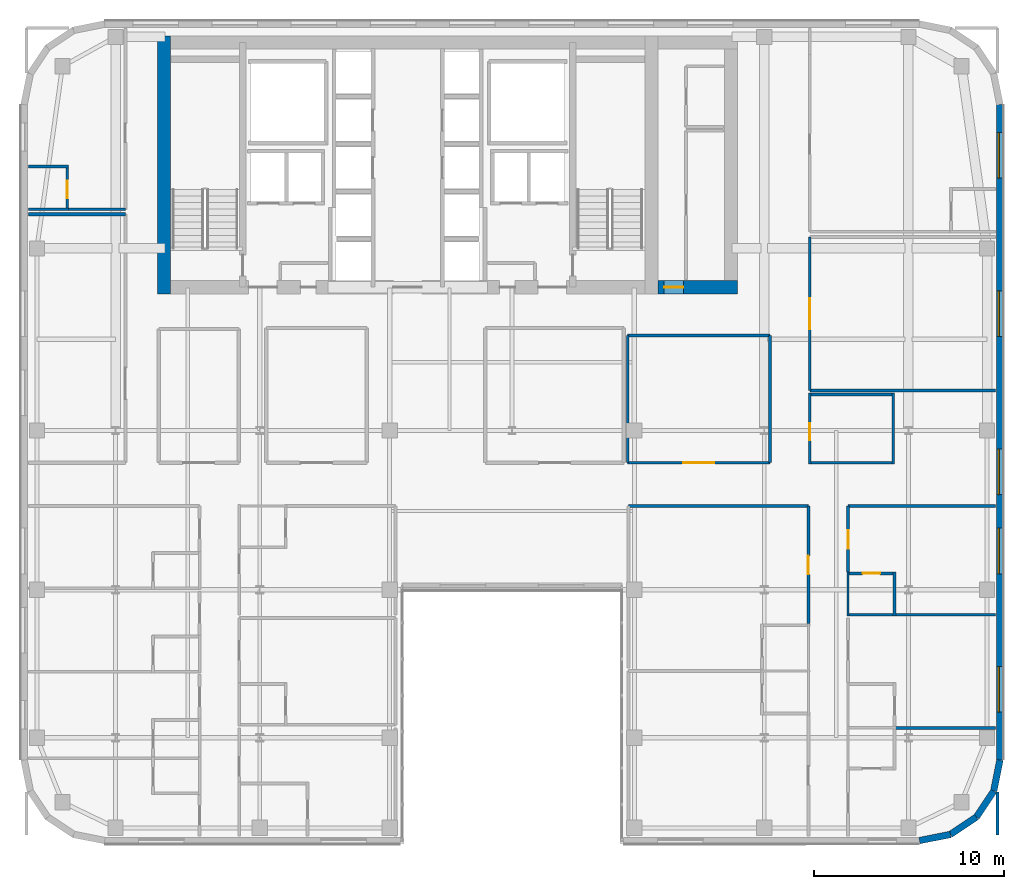
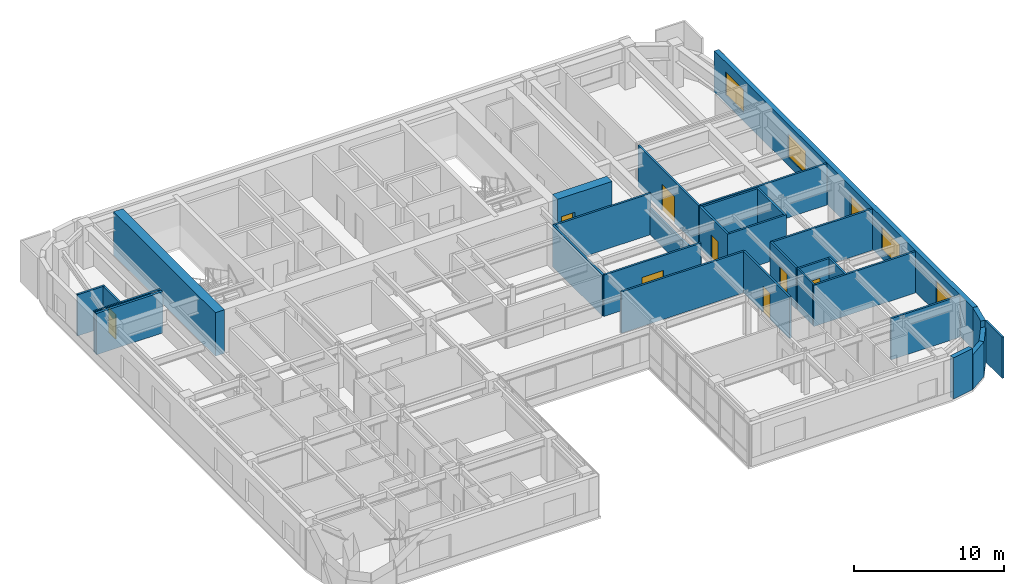
# One storey, part 12 of 20: 32 walls, 8 doors, 5 windows, 13 openings.
"""IFC4 building model written with IfcOpenShell, lengths in metres."""

from ifc_helpers import new_model, si_unit, direction, frame, frame_2d, origin, place, context, subcontext, project, spatial, rectangle, extrude, source, transform, mapped, material, layer, layer_set, type_object, type_shapes, element, fill, save


model = new_model("IFC4")

# Units and contexts
model_context = context("Model", 3, precision=1e-05, world=origin(), true_north=direction((0.0, 1.0)))
body_context = subcontext(model_context, "Body", "Model", "MODEL_VIEW")
ifc_project = project(units=[si_unit("LENGTHUNIT", "METRE"), si_unit("AREAUNIT", "SQUARE_METRE"), si_unit("VOLUMEUNIT", "CUBIC_METRE"), si_unit("PLANEANGLEUNIT", "RADIAN"), si_unit("MASSUNIT", "GRAM", prefix="KILO")], contexts=[model_context])

# Site, building, storey
site_placement = place(None, origin())
site = spatial("IfcSite", under=ifc_project, at=site_placement, CompositionType="ELEMENT")
building_placement = place(site_placement, origin())
building = spatial("IfcBuilding", under=site, at=building_placement, Name="Tolvann Quenvar Hotel", CompositionType="ELEMENT")
storey_placement = place(building_placement, frame((0.0, 0.0, 191.10009765625)))
storey = spatial("IfcBuildingStorey", under=building, at=storey_placement, Name="L50", CompositionType="ELEMENT", Elevation=191.10009765625)

# Wall
ifc_material_1 = material(Name="Concrete S65 (65 MPa)", Category="concrete")
ifc_layer_1 = layer(ifc_material_1, 0.699951171875)
ifc_layer_set_1 = layer_set([ifc_layer_1], Name="Concrete S65 (65 MPa)")
wall_type_1 = type_object("IfcWallType", Name="WALL_CORE_700", PredefinedType="SHEAR", material=ifc_layer_set_1)
wall_1_placement = place(storey_placement, frame((10.14990234375, 31.60009765625, 0.0), z_axis=(0.0, 0.0, 1.0), x_axis=(0.0, 1.0, 0.0)))
element("IfcWall", 1, at=wall_1_placement, inside=storey, type_object=wall_type_1, Name="Rear Core W Shear Wall (L50)", PredefinedType="SHEAR", context=body_context, shape_type="SweptSolid", body=[
    extrude(rectangle(XDim=13.599853515625, YDim=0.699951171875, at=frame_2d((6.7998046875, 0.0))), origin(), (0.0, 0.0, 1.0), 3.5498046875),
])

# Wall, opening, door
wall_2_placement = place(storey_placement, frame((36.199951171875, 31.949951171875, 0.0), z_axis=(0.0, 0.0, 1.0), x_axis=(1.0, 0.0, 0.0)))
wall_2 = element("IfcWall", 2, at=wall_2_placement, inside=storey, type_object=wall_type_1, Name="Core East Annex Shear Wall ANN-S (L50)", PredefinedType="SHEAR", context=body_context, shape_type="SweptSolid", body=[
    extrude(rectangle(XDim=4.199951171875, YDim=0.699951171875, at=frame_2d((2.10009765625, 0.0))), origin(), (0.0, 0.0, 1.0), 3.5498046875),
])
opening_1_placement = place(wall_2_placement, frame((1.340087890625, 0.0, 0.0), z_axis=(0.0, 0.0, 1.0), x_axis=(-1.0, 0.0, 0.0)))
opening_1 = element("IfcOpeningElement", 3, at=opening_1_placement, cuts=wall_2, Name="Opening HD-01", PredefinedType="OPENING", context=body_context, shape_type="SweptSolid", body=[
    extrude(rectangle(XDim=1.02001953125, YDim=2.030029296875, at=frame_2d((0.510009765625, 1.01513671875))), frame((0.0, 0.35986328125, 0.0), z_axis=(0.0, -1.0, 0.0), x_axis=(1.0, 0.0, 0.0)), (0.0, 0.0, 1.0), 0.719970703125),
])
ifc_material_2 = material(Name="Pressed galvanised steel fire-rated door set", Category="steel")
door_type_1 = type_object("IfcDoorType", Name="DOOR_BOH_1020", OperationType="NOTDEFINED", PredefinedType="DOOR", material=ifc_material_2)
shared_shape_1 = source(origin(), body_context, "Body", "SweptSolid", [
    extrude(rectangle(XDim=1.02001953125, YDim=2.030029296875, at=frame_2d((0.510009765625, 1.01513671875))), frame((0.0, 0.02490234375, 0.0), z_axis=(0.0, -1.0, 0.0), x_axis=(1.0, 0.0, 0.0)), (0.0, 0.0, 1.0), 0.050048828125),
])
type_shapes(door_type_1, [shared_shape_1])
door_1_placement = place(opening_1_placement, origin())
door_1 = element("IfcDoor", 4, at=door_1_placement, inside=storey, type_object=door_type_1, Name="Housekeeping Annex Fire Door (L50)", OperationType="SINGLE_SWING_RIGHT", OverallHeight=2.030029296875, OverallWidth=1.02001953125, PredefinedType="DOOR", context=body_context, shape_type="MappedRepresentation", body=[
    mapped(shared_shape_1, transform((0.0, 0.0, 0.0), x_axis=(1.0, 0.0, 0.0), y_axis=(0.0, 1.0, 0.0), z_axis=(0.0, 0.0, 1.0), scale=1.0)),
])
fill(opening_1, door_1)

# Walls
ifc_material_3 = material(Name="Kiln-fired red and buff architectural clay brickwork and terracotta masonry", Category="masonry")
ifc_layer_2 = layer(ifc_material_3, 0.35009765625)
ifc_layer_set_2 = layer_set([ifc_layer_2], Name="Kiln-fired red and buff architectural clay brickwork and terracotta masonry")
wall_type_2 = type_object("IfcWallType", Name="WALL_EXT_BRICK_350", PredefinedType="SOLIDWALL", material=ifc_layer_set_2)
wall_3_placement = place(storey_placement, frame((49.98291015625, 2.77490234375, 0.0), z_axis=(0.0, 0.0, 1.0), x_axis=(0.980788844421, 0.195072403631, 0.0)))
element("IfcWall", 5, at=wall_3_placement, inside=storey, type_object=wall_type_2, Name="Exterior Chicago Brick Wall L50-E09", PredefinedType="SOLIDWALL", context=body_context, shape_type="SweptSolid", body=[
    extrude(rectangle(XDim=1.66455078125, YDim=0.35009765625, at=frame_2d((0.832275390625, 0.0))), origin(), (0.0, 0.0, 1.0), 3.369873046875),
])
for number, where, z_axis, x_axis, name in (
    (6, (51.615478515625, 3.099609375, 0.0), (0.0, 0.0, 1.0), (0.831434158098, 0.555623290322, 0.0), "Exterior Chicago Brick Wall L50-E10"),
    (7, (52.985107421875, 4.014892578125, 0.0), (0.0, 0.0, 1.0), (0.555623290322, 0.831434158098, 0.0), "Exterior Chicago Brick Wall L50-E11"),
):
    element("IfcWall", number, at=place(storey_placement, frame(where, z_axis=z_axis, x_axis=x_axis)), inside=storey, type_object=wall_type_2, Name=name, PredefinedType="SOLIDWALL", context=body_context, shape_type="SweptSolid", body=[
        extrude(rectangle(XDim=1.647216796875, YDim=0.35009765625, at=frame_2d((0.82373046875, 0.0))), origin(), (0.0, 0.0, 1.0), 2.831787109375),
    ])
wall_4_placement = place(storey_placement, frame((53.900390625, 5.384521484375, 0.0), z_axis=(0.0, 0.0, 1.0), x_axis=(0.195072403631, 0.980788844421, 0.0)))
element("IfcWall", 8, at=wall_4_placement, inside=storey, type_object=wall_type_2, Name="Exterior Chicago Brick Wall L50-E12", PredefinedType="SOLIDWALL", context=body_context, shape_type="SweptSolid", body=[
    extrude(rectangle(XDim=1.66455078125, YDim=0.35009765625, at=frame_2d((0.832275390625, 0.0))), origin(), (0.0, 0.0, 1.0), 3.369873046875),
])

# Wall, openings, windows
wall_5_placement = place(storey_placement, frame((54.22509765625, 7.01708984375, 0.0), z_axis=(0.0, 0.0, 1.0), x_axis=(0.0, 1.0, 0.0)))
wall_5 = element("IfcWall", 9, at=wall_5_placement, inside=storey, type_object=wall_type_2, Name="Exterior Chicago Brick Wall L50-E13", PredefinedType="SOLIDWALL", context=body_context, shape_type="SweptSolid", body=[
    extrude(rectangle(XDim=34.565673828125, YDim=0.35009765625, at=frame_2d((17.28271484375, 0.0))), origin(), (0.0, 0.0, 1.0), 3.369873046875),
])
opening_2_placement = place(wall_5_placement, frame((2.534912109375, 0.0, 0.679931640625)))
opening_2 = element("IfcOpeningElement", 10, at=opening_2_placement, cuts=wall_5, Name="Opening W-01", PredefinedType="OPENING", context=body_context, shape_type="SweptSolid", body=[
    extrude(rectangle(XDim=2.39990234375, YDim=1.89990234375, at=frame_2d((1.199951171875, 0.949951171875))), frame((0.0, 0.18505859375, 0.0), z_axis=(0.0, -1.0, 0.0), x_axis=(1.0, 0.0, 0.0)), (0.0, 0.0, 1.0), 0.3701171875),
])
opening_3_placement = place(wall_5_placement, frame((9.826904296875, 0.0, 0.679931640625)))
opening_3 = element("IfcOpeningElement", 11, at=opening_3_placement, cuts=wall_5, Name="Opening W-01", PredefinedType="OPENING", context=body_context, shape_type="SweptSolid", body=[
    extrude(rectangle(XDim=2.39990234375, YDim=1.89990234375, at=frame_2d((1.199951171875, 0.949951171875))), frame((0.0, 0.18505859375, 0.0), z_axis=(0.0, -1.0, 0.0), x_axis=(1.0, 0.0, 0.0)), (0.0, 0.0, 1.0), 0.3701171875),
])
opening_4_placement = place(wall_5_placement, frame((13.9970703125, 0.0, 0.679931640625)))
opening_4 = element("IfcOpeningElement", 12, at=opening_4_placement, cuts=wall_5, Name="Opening W-01", PredefinedType="OPENING", context=body_context, shape_type="SweptSolid", body=[
    extrude(rectangle(XDim=2.39990234375, YDim=1.89990234375, at=frame_2d((1.199951171875, 0.949951171875))), frame((0.0, 0.18505859375, 0.0), z_axis=(0.0, -1.0, 0.0), x_axis=(1.0, 0.0, 0.0)), (0.0, 0.0, 1.0), 0.3701171875),
])
opening_5_placement = place(wall_5_placement, frame((22.339111328125, 0.0, 0.679931640625)))
opening_5 = element("IfcOpeningElement", 13, at=opening_5_placement, cuts=wall_5, Name="Opening W-01", PredefinedType="OPENING", context=body_context, shape_type="SweptSolid", body=[
    extrude(rectangle(XDim=2.39990234375, YDim=1.89990234375, at=frame_2d((1.199951171875, 0.949951171875))), frame((0.0, 0.18505859375, 0.0), z_axis=(0.0, -1.0, 0.0), x_axis=(1.0, 0.0, 0.0)), (0.0, 0.0, 1.0), 0.3701171875),
])
opening_6_placement = place(wall_5_placement, frame((30.679931640625, 0.0, 0.679931640625)))
opening_6 = element("IfcOpeningElement", 14, at=opening_6_placement, cuts=wall_5, Name="Opening W-01", PredefinedType="OPENING", context=body_context, shape_type="SweptSolid", body=[
    extrude(rectangle(XDim=2.39990234375, YDim=1.89990234375, at=frame_2d((1.199951171875, 0.949951171875))), frame((0.0, 0.18505859375, 0.0), z_axis=(0.0, -1.0, 0.0), x_axis=(1.0, 0.0, 0.0)), (0.0, 0.0, 1.0), 0.3701171875),
])
ifc_material_4 = material(Name="Thermally broken bronze-anodised aluminium frame with double low-E glazing", Category="aluminium")
window_type = type_object("IfcWindowType", Name="WIN_CHI_2400x2050", PartitioningType="TRIPLE_PANEL_HORIZONTAL", PredefinedType="WINDOW", material=ifc_material_4)
shared_shape_2 = source(origin(), body_context, "Body", "SweptSolid", [
    extrude(rectangle(XDim=2.39990234375, YDim=1.89990234375, at=frame_2d((1.199951171875, 0.949951171875))), frame((0.0, 0.090087890625, 0.0), z_axis=(0.0, -1.0, 0.0), x_axis=(1.0, 0.0, 0.0)), (0.0, 0.0, 1.0), 0.06005859375),
])
type_shapes(window_type, [shared_shape_2])
window_1_placement = place(opening_2_placement, origin())
window_1 = element("IfcWindow", 15, at=window_1_placement, inside=storey, type_object=window_type, Name="Chicago Window W-01 (EW-L50-E13-W01)", OverallHeight=1.89990234375, OverallWidth=2.39990234375, PartitioningType="TRIPLE_PANEL_HORIZONTAL", PredefinedType="WINDOW", context=body_context, shape_type="MappedRepresentation", body=[
    mapped(shared_shape_2, transform((0.0, 0.0, 0.0), x_axis=(1.0, 0.0, 0.0), y_axis=(0.0, 1.0, 0.0), z_axis=(0.0, 0.0, 1.0), scale=1.0)),
])
fill(opening_2, window_1)
window_2_placement = place(opening_3_placement, origin())
window_2 = element("IfcWindow", 16, at=window_2_placement, inside=storey, type_object=window_type, Name="Chicago Window W-01 (EW-L50-E13-W02)", OverallHeight=1.89990234375, OverallWidth=2.39990234375, PartitioningType="TRIPLE_PANEL_HORIZONTAL", PredefinedType="WINDOW", context=body_context, shape_type="MappedRepresentation", body=[
    mapped(shared_shape_2, transform((0.0, 0.0, 0.0), x_axis=(1.0, 0.0, 0.0), y_axis=(0.0, 1.0, 0.0), z_axis=(0.0, 0.0, 1.0), scale=1.0)),
])
fill(opening_3, window_2)
window_3_placement = place(opening_4_placement, origin())
window_3 = element("IfcWindow", 17, at=window_3_placement, inside=storey, type_object=window_type, Name="Chicago Window W-01 (EW-L50-E13-W03)", OverallHeight=1.89990234375, OverallWidth=2.39990234375, PartitioningType="TRIPLE_PANEL_HORIZONTAL", PredefinedType="WINDOW", context=body_context, shape_type="MappedRepresentation", body=[
    mapped(shared_shape_2, transform((0.0, 0.0, 0.0), x_axis=(1.0, 0.0, 0.0), y_axis=(0.0, 1.0, 0.0), z_axis=(0.0, 0.0, 1.0), scale=1.0)),
])
fill(opening_4, window_3)
window_4_placement = place(opening_5_placement, origin())
window_4 = element("IfcWindow", 18, at=window_4_placement, inside=storey, type_object=window_type, Name="Chicago Window W-01 (EW-L50-E13-W04)", OverallHeight=1.89990234375, OverallWidth=2.39990234375, PartitioningType="TRIPLE_PANEL_HORIZONTAL", PredefinedType="WINDOW", context=body_context, shape_type="MappedRepresentation", body=[
    mapped(shared_shape_2, transform((0.0, 0.0, 0.0), x_axis=(1.0, 0.0, 0.0), y_axis=(0.0, 1.0, 0.0), z_axis=(0.0, 0.0, 1.0), scale=1.0)),
])
fill(opening_5, window_4)
window_5_placement = place(opening_6_placement, origin())
window_5 = element("IfcWindow", 19, at=window_5_placement, inside=storey, type_object=window_type, Name="Chicago Window W-01 (EW-L50-E13-W05)", OverallHeight=1.89990234375, OverallWidth=2.39990234375, PartitioningType="TRIPLE_PANEL_HORIZONTAL", PredefinedType="WINDOW", context=body_context, shape_type="MappedRepresentation", body=[
    mapped(shared_shape_2, transform((0.0, 0.0, 0.0), x_axis=(1.0, 0.0, 0.0), y_axis=(0.0, 1.0, 0.0), z_axis=(0.0, 0.0, 1.0), scale=1.0)),
])
fill(opening_6, window_5)

# Walls
ifc_material_5 = material(Name="Acoustic twin-stud fire-rated gypsum plasterboard partition")
ifc_layer_3 = layer(ifc_material_5, 0.179931640625)
ifc_layer_set_3 = layer_set([ifc_layer_3], Name="Acoustic twin-stud fire-rated gypsum plasterboard partition")
wall_type_3 = type_object("IfcWallType", Name="WALL_PART_ACOUSTIC_180", PredefinedType="PARTITIONING", material=ifc_layer_set_3)
wall_6_placement = place(storey_placement, frame((3.0048828125, 35.800048828125, 0.0), z_axis=(0.0, 0.0, 1.0), x_axis=(1.0, 0.0, 0.0)))
element("IfcWall", 20, at=wall_6_placement, inside=storey, type_object=wall_type_3, Name="Interior Partition PT-SPC-L50-SAL-N", PredefinedType="PARTITIONING", context=body_context, shape_type="SweptSolid", body=[
    extrude(rectangle(XDim=5.115234375, YDim=0.179931640625, at=frame_2d((2.5576171875, 0.0))), origin(), (0.0, 0.0, 1.0), 3.369873046875),
])
ifc_material_6 = material(Name="Moisture-resistant acoustic plumbing wall assembly")
ifc_layer_4 = layer(ifc_material_6, 0.1201171875)
ifc_layer_set_4 = layer_set([ifc_layer_4], Name="Moisture-resistant acoustic plumbing wall assembly")
wall_type_4 = type_object("IfcWallType", Name="WALL_PART_BATH_120", PredefinedType="PLUMBINGWALL", material=ifc_layer_set_4)
wall_7_placement = place(storey_placement, frame((46.219970703125, 14.610107421875, 0.0), z_axis=(0.0, 0.0, 1.0), x_axis=(0.0, 1.0, 0.0)))
element("IfcWall", 21, at=wall_7_placement, inside=storey, type_object=wall_type_4, Name="Non-Rated Plumbing Partition PT-SPC-L50-ENS-EO03-W", PredefinedType="PLUMBINGWALL", context=body_context, shape_type="SweptSolid", body=[
    extrude(rectangle(XDim=2.32080078125, YDim=0.1201171875, at=frame_2d((1.160400390625, 0.0))), origin(), (0.0, 0.0, 1.0), 3.369873046875),
])
wall_8_placement = place(storey_placement, frame((3.0048828125, 36.06005859375, 0.0), z_axis=(0.0, 0.0, 1.0), x_axis=(1.0, 0.0, 0.0)))
element("IfcWall", 22, at=wall_8_placement, inside=storey, type_object=wall_type_4, Name="Non-Rated Plumbing Partition PT-SPC-L50-ENS-NW01-S", PredefinedType="PLUMBINGWALL", context=body_context, shape_type="SweptSolid", body=[
    extrude(rectangle(XDim=2.115234375, YDim=0.1201171875, at=frame_2d((1.0576171875, 0.0))), origin(), (0.0, 0.0, 1.0), 3.369873046875),
])
ifc_layer_5 = layer(ifc_material_5, 0.14990234375)
ifc_layer_set_5 = layer_set([ifc_layer_5], Name="Acoustic twin-stud fire-rated gypsum plasterboard partition")
wall_type_5 = type_object("IfcWallType", Name="WALL_PART_SUITE_150", PredefinedType="PARTITIONING", material=ifc_layer_set_5)
wall_9_placement = place(storey_placement, frame((48.669921875, 14.610107421875, 0.0), z_axis=(0.0, 0.0, 1.0), x_axis=(0.0, 1.0, 0.0)))
element("IfcWall", 23, at=wall_9_placement, inside=storey, type_object=wall_type_5, Name="Interior Partition PT-SPC-L50-ENS-EO03-ENT", PredefinedType="PARTITIONING", context=body_context, shape_type="SweptSolid", body=[
    extrude(rectangle(XDim=2.32080078125, YDim=0.14990234375, at=frame_2d((1.160400390625, 0.0))), origin(), (0.0, 0.0, 1.0), 3.369873046875),
])
wall_10_placement = place(storey_placement, frame((46.14990234375, 14.679931640625, 0.0), z_axis=(0.0, 0.0, 1.0), x_axis=(1.0, 0.0, 0.0)))
element("IfcWall", 24, at=wall_10_placement, inside=storey, type_object=wall_type_5, Name="Interior Partition PT-SPC-L50-ENS-EO03-S", PredefinedType="PARTITIONING", context=body_context, shape_type="SweptSolid", body=[
    extrude(rectangle(XDim=7.84521484375, YDim=0.14990234375, at=frame_2d((3.922607421875, 0.0))), origin(), (0.0, 0.0, 1.0), 3.369873046875),
])

# Wall, opening, door
wall_11_placement = place(storey_placement, frame((46.14990234375, 16.861083984375, 0.0), z_axis=(0.0, 0.0, 1.0), x_axis=(1.0, 0.0, 0.0)))
wall_11 = element("IfcWall", 25, at=wall_11_placement, inside=storey, type_object=wall_type_5, Name="Interior Partition PT-SPC-L50-ENS-EO03-N", PredefinedType="PARTITIONING", context=body_context, shape_type="SweptSolid", body=[
    extrude(rectangle(XDim=2.590087890625, YDim=0.14990234375, at=frame_2d((1.294921875, 0.0))), origin(), (0.0, 0.0, 1.0), 3.369873046875),
])
opening_7_placement = place(wall_11_placement, frame((0.8349609375, 0.0, 0.0)))
opening_7 = element("IfcOpeningElement", 26, at=opening_7_placement, cuts=wall_11, Name="Opening WD-01", PredefinedType="OPENING", context=body_context, shape_type="SweptSolid", body=[
    extrude(rectangle(XDim=0.919921875, YDim=2.010009765625, at=frame_2d((0.4599609375, 1.0048828125))), frame((0.0, 0.0849609375, 0.0), z_axis=(0.0, -1.0, 0.0), x_axis=(1.0, 0.0, 0.0)), (0.0, 0.0, 1.0), 0.169921875),
])
ifc_material_7 = material(Name="Solid-core American oak acoustic fire door leaf in steel frame", Category="steel")
door_type_2 = type_object("IfcDoorType", Name="DOOR_WC_920", OperationType="NOTDEFINED", PredefinedType="DOOR", material=ifc_material_7)
shared_shape_3 = source(origin(), body_context, "Body", "SweptSolid", [
    extrude(rectangle(XDim=0.919921875, YDim=2.010009765625, at=frame_2d((0.4599609375, 1.0048828125))), frame((0.0, 0.02490234375, 0.0), z_axis=(0.0, -1.0, 0.0), x_axis=(1.0, 0.0, 0.0)), (0.0, 0.0, 1.0), 0.050048828125),
])
type_shapes(door_type_2, [shared_shape_3])
door_2_placement = place(opening_7_placement, origin())
door_2 = element("IfcDoor", 27, at=door_2_placement, inside=storey, type_object=door_type_2, Name="Interior Door DOOR-SPC-L50-ENS-EO03", OperationType="SINGLE_SWING_RIGHT", OverallHeight=2.010009765625, OverallWidth=0.919921875, PredefinedType="DOOR", context=body_context, shape_type="MappedRepresentation", body=[
    mapped(shared_shape_3, transform((0.0, 0.0, 0.0), x_axis=(1.0, 0.0, 0.0), y_axis=(0.0, 1.0, 0.0), z_axis=(0.0, 0.0, 1.0), scale=1.0)),
])
fill(opening_7, door_2)

wall_12_placement = place(storey_placement, frame((5.050048828125, 35.989990234375, 0.0), z_axis=(0.0, 0.0, 1.0), x_axis=(0.0, 1.0, 0.0)))
wall_12 = element("IfcWall", 28, at=wall_12_placement, inside=storey, type_object=wall_type_5, Name="Interior Partition PT-SPC-L50-ENS-NW01-ENT", PredefinedType="PARTITIONING", context=body_context, shape_type="SweptSolid", body=[
    extrude(rectangle(XDim=2.389892578125, YDim=0.14990234375, at=frame_2d((1.19482421875, 0.0))), origin(), (0.0, 0.0, 1.0), 3.369873046875),
])
opening_8_placement = place(wall_12_placement, frame((0.6650390625, 0.0, 0.0)))
opening_8 = element("IfcOpeningElement", 29, at=opening_8_placement, cuts=wall_12, Name="Opening WD-01", PredefinedType="OPENING", context=body_context, shape_type="SweptSolid", body=[
    extrude(rectangle(XDim=0.919921875, YDim=2.010009765625, at=frame_2d((0.4599609375, 1.0048828125))), frame((0.0, 0.0849609375, 0.0), z_axis=(0.0, -1.0, 0.0), x_axis=(1.0, 0.0, 0.0)), (0.0, 0.0, 1.0), 0.169921875),
])
door_3_placement = place(opening_8_placement, origin())
door_3 = element("IfcDoor", 30, at=door_3_placement, inside=storey, type_object=door_type_2, Name="Interior Door DOOR-SPC-L50-ENS-NW01", OperationType="SINGLE_SWING_LEFT", OverallHeight=2.010009765625, OverallWidth=0.919921875, PredefinedType="DOOR", context=body_context, shape_type="MappedRepresentation", body=[
    mapped(shared_shape_3, transform((0.0, 0.0, 0.0), x_axis=(1.0, 0.0, 0.0), y_axis=(0.0, 1.0, 0.0), z_axis=(0.0, 0.0, 1.0), scale=1.0)),
])
fill(opening_8, door_3)

# Wall
wall_13_placement = place(storey_placement, frame((3.0048828125, 38.31005859375, 0.0), z_axis=(0.0, 0.0, 1.0), x_axis=(1.0, 0.0, 0.0)))
element("IfcWall", 31, at=wall_13_placement, inside=storey, type_object=wall_type_5, Name="Interior Partition PT-SPC-L50-ENS-NW01-N", PredefinedType="PARTITIONING", context=body_context, shape_type="SweptSolid", body=[
    extrude(rectangle(XDim=2.115234375, YDim=0.14990234375, at=frame_2d((1.0576171875, 0.0))), origin(), (0.0, 0.0, 1.0), 3.369873046875),
])

# Wall, opening, door
wall_14_placement = place(storey_placement, frame((44.1298828125, 14.2099609375, 0.0), z_axis=(0.0, 0.0, 1.0), x_axis=(0.0, 1.0, 0.0)))
wall_14 = element("IfcWall", 32, at=wall_14_placement, inside=storey, type_object=wall_type_5, Name="Interior Partition PT-SPC-L50-RM-EI02-ENT", PredefinedType="PARTITIONING", context=body_context, shape_type="SweptSolid", body=[
    extrude(rectangle(XDim=6.2099609375, YDim=0.14990234375, at=frame_2d((3.10498046875, 0.0))), origin(), (0.0, 0.0, 1.0), 3.369873046875),
])
opening_9_placement = place(wall_14_placement, frame((2.594970703125, 0.0, 0.0)))
opening_9 = element("IfcOpeningElement", 33, at=opening_9_placement, cuts=wall_14, Name="Opening SD-01", PredefinedType="OPENING", context=body_context, shape_type="SweptSolid", body=[
    extrude(rectangle(XDim=0.97998046875, YDim=2.1201171875, at=frame_2d((0.489990234375, 1.06005859375))), frame((0.0, 0.0849609375, 0.0), z_axis=(0.0, -1.0, 0.0), x_axis=(1.0, 0.0, 0.0)), (0.0, 0.0, 1.0), 0.169921875),
])
door_type_3 = type_object("IfcDoorType", Name="DOOR_SUITE_980", OperationType="NOTDEFINED", PredefinedType="DOOR", material=ifc_material_7)
shared_shape_4 = source(origin(), body_context, "Body", "SweptSolid", [
    extrude(rectangle(XDim=0.97998046875, YDim=2.1201171875, at=frame_2d((0.489990234375, 1.06005859375))), frame((0.0, 0.02490234375, 0.0), z_axis=(0.0, -1.0, 0.0), x_axis=(1.0, 0.0, 0.0)), (0.0, 0.0, 1.0), 0.050048828125),
])
type_shapes(door_type_3, [shared_shape_4])
door_4_placement = place(opening_9_placement, origin())
door_4 = element("IfcDoor", 34, at=door_4_placement, inside=storey, type_object=door_type_3, Name="Interior Door DOOR-SPC-L50-RM-EI02", OperationType="SINGLE_SWING_LEFT", OverallHeight=2.1201171875, OverallWidth=0.97998046875, PredefinedType="DOOR", context=body_context, shape_type="MappedRepresentation", body=[
    mapped(shared_shape_4, transform((0.0, 0.0, 0.0), x_axis=(1.0, 0.0, 0.0), y_axis=(0.0, 1.0, 0.0), z_axis=(0.0, 0.0, 1.0), scale=1.0)),
])
fill(opening_9, door_4)

# Walls
wall_15_placement = place(storey_placement, frame((34.64990234375, 20.419921875, 0.0), z_axis=(0.0, 0.0, 1.0), x_axis=(1.0, 0.0, 0.0)))
element("IfcWall", 35, at=wall_15_placement, inside=storey, type_object=wall_type_5, Name="Interior Partition PT-SPC-L50-RM-EI02-E5", PredefinedType="PARTITIONING", context=body_context, shape_type="SweptSolid", body=[
    extrude(rectangle(XDim=9.47998046875, YDim=0.14990234375, at=frame_2d((4.739990234375, 0.0))), origin(), (0.0, 0.0, 1.0), 3.369873046875),
])
wall_16_placement = place(storey_placement, frame((54.10009765625, 3.080078125, 0.0), z_axis=(0.0, 0.0, 1.0), x_axis=(0.0, 1.0, 0.0)))
element("IfcWall", 36, at=wall_16_placement, inside=storey, type_object=wall_type_5, Name="Interior Partition PT-SPC-L50-RM-EO01-E2", PredefinedType="PARTITIONING", context=body_context, shape_type="SweptSolid", body=[
    extrude(rectangle(XDim=2.264892578125, YDim=0.14990234375, at=frame_2d((1.13232421875, 0.0))), origin(), (0.0, 0.0, 1.0), 3.369873046875),
])
wall_17_placement = place(storey_placement, frame((48.68994140625, 8.719970703125, 0.0), z_axis=(0.0, 0.0, 1.0), x_axis=(1.0, 0.0, 0.0)))
element("IfcWall", 37, at=wall_17_placement, inside=storey, type_object=wall_type_5, Name="Interior Partition PT-SPC-L50-RM-EO01-E3", PredefinedType="PARTITIONING", context=body_context, shape_type="SweptSolid", body=[
    extrude(rectangle(XDim=5.30517578125, YDim=0.14990234375, at=frame_2d((2.652587890625, 0.0))), origin(), (0.0, 0.0, 1.0), 3.369873046875),
])

# Wall, opening, door
wall_18_placement = place(storey_placement, frame((46.219970703125, 16.94091796875, 0.0), z_axis=(0.0, 0.0, 1.0), x_axis=(0.0, 1.0, 0.0)))
wall_18 = element("IfcWall", 38, at=wall_18_placement, inside=storey, type_object=wall_type_5, Name="Interior Partition PT-SPC-L50-RM-EO03-ENT", PredefinedType="PARTITIONING", context=body_context, shape_type="SweptSolid", body=[
    extrude(rectangle(XDim=3.47900390625, YDim=0.14990234375, at=frame_2d((1.739501953125, 0.0))), origin(), (0.0, 0.0, 1.0), 3.369873046875),
])
opening_10_placement = place(wall_18_placement, frame((1.2294921875, 0.0, 0.0)))
opening_10 = element("IfcOpeningElement", 39, at=opening_10_placement, cuts=wall_18, Name="Opening SD-01", PredefinedType="OPENING", context=body_context, shape_type="SweptSolid", body=[
    extrude(rectangle(XDim=0.97998046875, YDim=2.1201171875, at=frame_2d((0.489990234375, 1.06005859375))), frame((0.0, 0.0849609375, 0.0), z_axis=(0.0, -1.0, 0.0), x_axis=(1.0, 0.0, 0.0)), (0.0, 0.0, 1.0), 0.169921875),
])
door_5_placement = place(opening_10_placement, origin())
door_5 = element("IfcDoor", 40, at=door_5_placement, inside=storey, type_object=door_type_3, Name="Interior Door DOOR-SPC-L50-RM-EO03", OperationType="SINGLE_SWING_RIGHT", OverallHeight=2.1201171875, OverallWidth=0.97998046875, PredefinedType="DOOR", context=body_context, shape_type="MappedRepresentation", body=[
    mapped(shared_shape_4, transform((0.0, 0.0, 0.0), x_axis=(1.0, 0.0, 0.0), y_axis=(0.0, 1.0, 0.0), z_axis=(0.0, 0.0, 1.0), scale=1.0)),
])
fill(opening_10, door_5)

# Walls
wall_19_placement = place(storey_placement, frame((46.219970703125, 20.419921875, 0.0), z_axis=(0.0, 0.0, 1.0), x_axis=(1.0, 0.0, 0.0)))
element("IfcWall", 41, at=wall_19_placement, inside=storey, type_object=wall_type_5, Name="Interior Partition PT-SPC-L50-RM-EO03-E5", PredefinedType="PARTITIONING", context=body_context, shape_type="SweptSolid", body=[
    extrude(rectangle(XDim=7.775146484375, YDim=0.14990234375, at=frame_2d((3.8876953125, 0.0))), origin(), (0.0, 0.0, 1.0), 3.369873046875),
])
wall_20_placement = place(storey_placement, frame((5.070068359375, 36.06005859375, 0.0), z_axis=(0.0, 0.0, 1.0), x_axis=(1.0, 0.0, 0.0)))
element("IfcWall", 42, at=wall_20_placement, inside=storey, type_object=wall_type_5, Name="Interior Partition PT-SPC-L50-RM-NW01-E3", PredefinedType="PARTITIONING", context=body_context, shape_type="SweptSolid", body=[
    extrude(rectangle(XDim=3.050048828125, YDim=0.14990234375, at=frame_2d((1.52490234375, 0.0))), origin(), (0.0, 0.0, 1.0), 3.369873046875),
])

# Wall, opening, door
wall_21_placement = place(storey_placement, frame((44.199951171875, 22.6298828125, 0.0), z_axis=(0.0, 0.0, 1.0), x_axis=(0.0, 1.0, 0.0)))
wall_21 = element("IfcWall", 43, at=wall_21_placement, inside=storey, type_object=wall_type_5, Name="Interior Partition PT-SPC-L50-WCA-ENT", PredefinedType="PARTITIONING", context=body_context, shape_type="SweptSolid", body=[
    extrude(rectangle(XDim=3.740234375, YDim=0.14990234375, at=frame_2d((1.8701171875, 0.0))), origin(), (0.0, 0.0, 1.0), 3.369873046875),
])
opening_11_placement = place(wall_21_placement, frame((1.239990234375, 0.0, 0.0)))
opening_11 = element("IfcOpeningElement", 44, at=opening_11_placement, cuts=wall_21, Name="Opening WD-01", PredefinedType="OPENING", context=body_context, shape_type="SweptSolid", body=[
    extrude(rectangle(XDim=0.919921875, YDim=2.010009765625, at=frame_2d((0.4599609375, 1.0048828125))), frame((0.0, 0.0849609375, 0.0), z_axis=(0.0, -1.0, 0.0), x_axis=(1.0, 0.0, 0.0)), (0.0, 0.0, 1.0), 0.169921875),
])
door_6_placement = place(opening_11_placement, origin())
door_6 = element("IfcDoor", 45, at=door_6_placement, inside=storey, type_object=door_type_2, Name="Interior Door DOOR-SPC-L50-WCA", OperationType="SINGLE_SWING_RIGHT", OverallHeight=2.010009765625, OverallWidth=0.919921875, PredefinedType="DOOR", context=body_context, shape_type="MappedRepresentation", body=[
    mapped(shared_shape_3, transform((0.0, 0.0, 0.0), x_axis=(1.0, 0.0, 0.0), y_axis=(0.0, 1.0, 0.0), z_axis=(0.0, 0.0, 1.0), scale=1.0)),
])
fill(opening_11, door_6)

# Walls
for number, where, z_axis, x_axis, name in (
    (46, (44.1298828125, 22.699951171875, 0.0), (0.0, 0.0, 1.0), (1.0, 0.0, 0.0), "Interior Partition PT-SPC-L50-WCA-S"),
    (47, (44.1298828125, 26.300048828125, 0.0), (0.0, 0.0, 1.0), (1.0, 0.0, 0.0), "Interior Partition PT-SPC-L50-WCA-N"),
):
    element("IfcWall", number, at=place(storey_placement, frame(where, z_axis=z_axis, x_axis=x_axis)), inside=storey, type_object=wall_type_5, Name=name, PredefinedType="PARTITIONING", context=body_context, shape_type="SweptSolid", body=[
        extrude(rectangle(XDim=4.5400390625, YDim=0.14990234375, at=frame_2d((2.27001953125, 0.0))), origin(), (0.0, 0.0, 1.0), 3.369873046875),
    ])
wall_22_placement = place(storey_placement, frame((48.60009765625, 22.6298828125, 0.0), z_axis=(0.0, 0.0, 1.0), x_axis=(0.0, 1.0, 0.0)))
element("IfcWall", 48, at=wall_22_placement, inside=storey, type_object=wall_type_5, Name="Interior Partition PT-SPC-L50-WCA-E", PredefinedType="PARTITIONING", context=body_context, shape_type="SweptSolid", body=[
    extrude(rectangle(XDim=3.740234375, YDim=0.14990234375, at=frame_2d((1.8701171875, 0.0))), origin(), (0.0, 0.0, 1.0), 3.369873046875),
])
wall_23_placement = place(storey_placement, frame((44.199951171875, 26.5, 0.0), z_axis=(0.0, 0.0, 1.0), x_axis=(1.0, 0.0, 0.0)))
element("IfcWall", 49, at=wall_23_placement, inside=storey, type_object=wall_type_5, Name="Interior Partition PT-SPC-L50-SPA-S", PredefinedType="PARTITIONING", context=body_context, shape_type="SweptSolid", body=[
    extrude(rectangle(XDim=9.795166015625, YDim=0.14990234375, at=frame_2d((4.8974609375, 0.0))), origin(), (0.0, 0.0, 1.0), 3.369873046875),
])

# Wall, opening, door
wall_24_placement = place(storey_placement, frame((44.199951171875, 26.5, 0.0), z_axis=(0.0, 0.0, 1.0), x_axis=(0.0, 1.0, 0.0)))
wall_24 = element("IfcWall", 50, at=wall_24_placement, inside=storey, type_object=wall_type_5, Name="Interior Partition PT-SPC-L50-SPA-W", PredefinedType="PARTITIONING", context=body_context, shape_type="SweptSolid", body=[
    extrude(rectangle(XDim=8.10009765625, YDim=0.14990234375, at=frame_2d((4.050048828125, 0.0))), origin(), (0.0, 0.0, 1.0), 3.369873046875),
])
opening_12_placement = place(wall_24_placement, frame((3.22509765625, 0.0, 0.0)))
opening_12 = element("IfcOpeningElement", 51, at=opening_12_placement, cuts=wall_24, Name="Opening AD-01", PredefinedType="OPENING", context=body_context, shape_type="SweptSolid", body=[
    extrude(rectangle(XDim=1.64990234375, YDim=2.14990234375, at=frame_2d((0.824951171875, 1.074951171875))), frame((0.0, 0.0849609375, 0.0), z_axis=(0.0, -1.0, 0.0), x_axis=(1.0, 0.0, 0.0)), (0.0, 0.0, 1.0), 0.169921875),
])
door_type_4 = type_object("IfcDoorType", Name="DOOR_SALON_1650", OperationType="NOTDEFINED", PredefinedType="DOOR", material=ifc_material_7)
shared_shape_5 = source(origin(), body_context, "Body", "SweptSolid", [
    extrude(rectangle(XDim=1.64990234375, YDim=2.14990234375, at=frame_2d((0.824951171875, 1.074951171875))), frame((0.0, 0.02490234375, 0.0), z_axis=(0.0, -1.0, 0.0), x_axis=(1.0, 0.0, 0.0)), (0.0, 0.0, 1.0), 0.050048828125),
])
type_shapes(door_type_4, [shared_shape_5])
door_7_placement = place(opening_12_placement, origin())
door_7 = element("IfcDoor", 52, at=door_7_placement, inside=storey, type_object=door_type_4, Name="Interior Door DOOR-SPC-L50-SPA", OperationType="DOUBLE_DOOR_SINGLE_SWING", OverallHeight=2.14990234375, OverallWidth=1.64990234375, PredefinedType="DOOR", context=body_context, shape_type="MappedRepresentation", body=[
    mapped(shared_shape_5, transform((0.0, 0.0, 0.0), x_axis=(1.0, 0.0, 0.0), y_axis=(0.0, 1.0, 0.0), z_axis=(0.0, 0.0, 1.0), scale=1.0)),
])
fill(opening_12, door_7)

wall_25_placement = place(storey_placement, frame((34.60009765625, 22.699951171875, 0.0), z_axis=(0.0, 0.0, 1.0), x_axis=(1.0, 0.0, 0.0)))
wall_25 = element("IfcWall", 53, at=wall_25_placement, inside=storey, type_object=wall_type_5, Name="Interior Partition PT-SPC-L50-MSP-E-S", PredefinedType="PARTITIONING", context=body_context, shape_type="SweptSolid", body=[
    extrude(rectangle(XDim=7.5, YDim=0.14990234375, at=frame_2d((3.75, 0.0))), origin(), (0.0, 0.0, 1.0), 3.369873046875),
])
opening_13_placement = place(wall_25_placement, frame((2.925048828125, 0.0, 0.0)))
opening_13 = element("IfcOpeningElement", 54, at=opening_13_placement, cuts=wall_25, Name="Opening AD-01", PredefinedType="OPENING", context=body_context, shape_type="SweptSolid", body=[
    extrude(rectangle(XDim=1.64990234375, YDim=2.14990234375, at=frame_2d((0.824951171875, 1.074951171875))), frame((0.0, 0.0849609375, 0.0), z_axis=(0.0, -1.0, 0.0), x_axis=(1.0, 0.0, 0.0)), (0.0, 0.0, 1.0), 0.169921875),
])
door_8_placement = place(opening_13_placement, origin())
door_8 = element("IfcDoor", 55, at=door_8_placement, inside=storey, type_object=door_type_4, Name="Interior Door DOOR-SPC-L50-MSP-E", OperationType="DOUBLE_DOOR_SINGLE_SWING", OverallHeight=2.14990234375, OverallWidth=1.64990234375, PredefinedType="DOOR", context=body_context, shape_type="MappedRepresentation", body=[
    mapped(shared_shape_5, transform((0.0, 0.0, 0.0), x_axis=(1.0, 0.0, 0.0), y_axis=(0.0, 1.0, 0.0), z_axis=(0.0, 0.0, 1.0), scale=1.0)),
])
fill(opening_13, door_8)

# Walls
wall_26_placement = place(storey_placement, frame((34.60009765625, 29.39990234375, 0.0), z_axis=(0.0, 0.0, 1.0), x_axis=(1.0, 0.0, 0.0)))
element("IfcWall", 56, at=wall_26_placement, inside=storey, type_object=wall_type_5, Name="Interior Partition PT-SPC-L50-MSP-E-N", PredefinedType="PARTITIONING", context=body_context, shape_type="SweptSolid", body=[
    extrude(rectangle(XDim=7.5, YDim=0.14990234375, at=frame_2d((3.75, 0.0))), origin(), (0.0, 0.0, 1.0), 3.369873046875),
])
wall_27_placement = place(storey_placement, frame((34.60009765625, 22.699951171875, 0.0), z_axis=(0.0, 0.0, 1.0), x_axis=(0.0, 1.0, 0.0)))
element("IfcWall", 57, at=wall_27_placement, inside=storey, type_object=wall_type_5, Name="Interior Partition PT-SPC-L50-MSP-E-W", PredefinedType="PARTITIONING", context=body_context, shape_type="SweptSolid", body=[
    extrude(rectangle(XDim=6.699951171875, YDim=0.14990234375, at=frame_2d((3.35009765625, 0.0))), origin(), (0.0, 0.0, 1.0), 3.369873046875),
])
wall_28_placement = place(storey_placement, frame((42.10009765625, 22.699951171875, 0.0), z_axis=(0.0, 0.0, 1.0), x_axis=(0.0, 1.0, 0.0)))
element("IfcWall", 58, at=wall_28_placement, inside=storey, type_object=wall_type_5, Name="Interior Partition PT-SPC-L50-MSP-E-E", PredefinedType="PARTITIONING", context=body_context, shape_type="SweptSolid", body=[
    extrude(rectangle(XDim=6.699951171875, YDim=0.14990234375, at=frame_2d((3.35009765625, 0.0))), origin(), (0.0, 0.0, 1.0), 2.159912109375),
])

save(model, "model.ifc")
